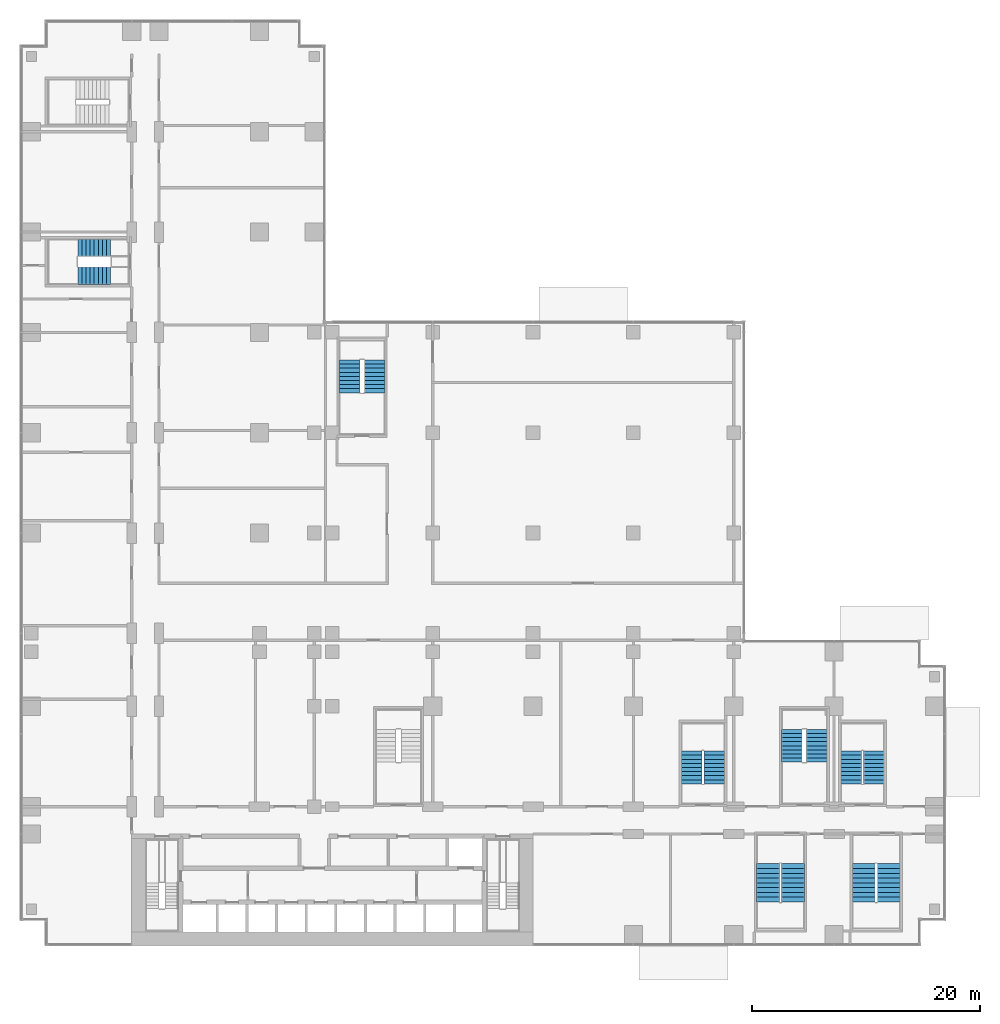
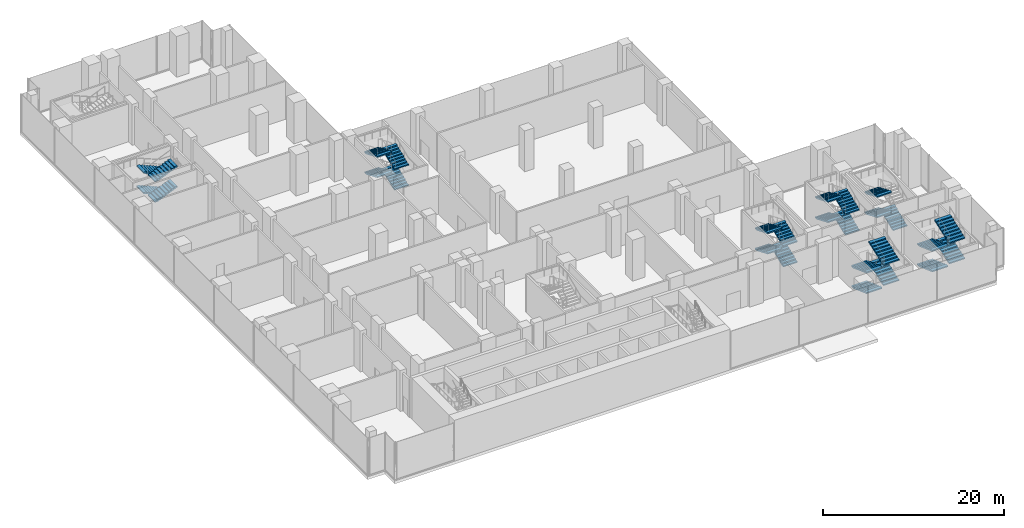
# One storey, part 23 of 30: 27 stair flights, 7 elements without a shape of their own.
"""IFC4 building model written with IfcOpenShell, lengths in metres."""

from ifc_helpers import new_model, si_unit, direction, frame, origin, place, context, subcontext, project, spatial, polyline, outline, extrude, material, type_object, element, aggregate, save


model = new_model("IFC4")

# Units and contexts
model_context = context("Model", 3, precision=1e-05, world=origin(), true_north=direction((0.0, 1.0)))
body_context = subcontext(model_context, "Body", "Model", "MODEL_VIEW")
ifc_project = project(units=[si_unit("LENGTHUNIT", "METRE"), si_unit("AREAUNIT", "SQUARE_METRE"), si_unit("VOLUMEUNIT", "CUBIC_METRE"), si_unit("PLANEANGLEUNIT", "RADIAN"), si_unit("MASSUNIT", "GRAM", prefix="KILO")], contexts=[model_context])

# Site, building, storey
site_placement = place(None, origin())
site = spatial("IfcSite", under=ifc_project, at=site_placement, CompositionType="ELEMENT")
building_placement = place(site_placement, origin())
building = spatial("IfcBuilding", under=site, at=building_placement, Name="Kemantara Hotel Tower", CompositionType="ELEMENT")
storey_placement = place(building_placement, frame((0.0, 0.0, 7.5)))
storey = spatial("IfcBuildingStorey", under=building, at=storey_placement, Name="L01", CompositionType="ELEMENT", Elevation=7.5)

# Stair, stair flights
ifc_material = material(Name="Concrete fc 40 MPa", Category="concrete")
stair_type_1 = type_object("IfcStairType", Name="Stair 1550 wide 36 risers of 153 x 360 mm", PredefinedType="HALF_TURN_STAIR", material=ifc_material)
stair_1_placement = place(storey_placement, origin())
stair_1 = element("IfcStair", 1, at=stair_1_placement, inside=storey, type_object=stair_type_1, Name="L01 Exit stair ST4", PredefinedType="HALF_TURN_STAIR")
stair_flight_type_1 = type_object("IfcStairFlightType", Name="Stair flight 1550 wide 153 x 360 mm", PredefinedType="STRAIGHT", material=ifc_material)
stair_flight_1_placement = place(storey_placement, frame((7.949951171875, 61.22509765625, 0.0), z_axis=(0.0, 0.0, 1.0), x_axis=(-1.0, 0.0, 0.0)))
stair_flight_1 = element("IfcStairFlight", 2, at=stair_flight_1_placement, type_object=stair_flight_type_1, Name="ST4 flight 1", NumberOfRisers=9, NumberOfTreads=8, PredefinedType="STRAIGHT", RiserHeight=0.152777778, TreadLength=0.36, context=body_context, shape_type="SweptSolid", body=[
    extrude(outline(polyline([(0.0, 0.0), (0.0, 0.15283203125), (0.360107421875, 0.15283203125), (0.360107421875, 0.3056640625), (0.719970703125, 0.3056640625), (0.719970703125, 0.458251953125), (1.080078125, 0.458251953125), (1.080078125, 0.611083984375), (1.43994140625, 0.611083984375), (1.43994140625, 0.763916015625), (1.800048828125, 0.763916015625), (1.800048828125, 0.916748046875), (2.159912109375, 0.916748046875), (2.159912109375, 1.0693359375), (2.52001953125, 1.0693359375), (2.52001953125, 1.22216796875), (2.8798828125, 1.22216796875), (2.8798828125, 1.375), (2.8798828125, 1.059326171875), (0.3837890625, 0.0), (0.0, 0.0)])), frame((0.0, 0.77490234375, 0.0), z_axis=(0.0, -1.0, 0.0), x_axis=(1.0, 0.0, 0.0)), (0.0, 0.0, 1.0), 1.550048828125),
])
stair_flight_2_placement = place(storey_placement, frame((5.070068359375, 58.77490234375, 1.375), z_axis=(0.0, 0.0, 1.0), x_axis=(1.0, 0.0, 0.0)))
stair_flight_2 = element("IfcStairFlight", 3, at=stair_flight_2_placement, type_object=stair_flight_type_1, Name="ST4 flight 2", NumberOfRisers=9, NumberOfTreads=8, PredefinedType="STRAIGHT", RiserHeight=0.152777778, TreadLength=0.36, context=body_context, shape_type="SweptSolid", body=[
    extrude(outline(polyline([(0.0, 0.0), (0.0, 0.15283203125), (0.360107421875, 0.15283203125), (0.360107421875, 0.3056640625), (0.719970703125, 0.3056640625), (0.719970703125, 0.458251953125), (1.080078125, 0.458251953125), (1.080078125, 0.611083984375), (1.43994140625, 0.611083984375), (1.43994140625, 0.763916015625), (1.800048828125, 0.763916015625), (1.800048828125, 0.916748046875), (2.159912109375, 0.916748046875), (2.159912109375, 1.0693359375), (2.52001953125, 1.0693359375), (2.52001953125, 1.22216796875), (2.8798828125, 1.22216796875), (2.8798828125, 1.375), (2.8798828125, 1.059326171875), (0.3837890625, 0.0), (0.0, 0.0)])), frame((0.0, 0.77490234375, 0.0), z_axis=(0.0, -1.0, 0.0), x_axis=(1.0, 0.0, 0.0)), (0.0, 0.0, 1.0), 1.550048828125),
])
stair_flight_3_placement = place(storey_placement, frame((7.949951171875, 61.22509765625, 2.75), z_axis=(0.0, 0.0, 1.0), x_axis=(-1.0, 0.0, 0.0)))
stair_flight_3 = element("IfcStairFlight", 4, at=stair_flight_3_placement, type_object=stair_flight_type_1, Name="ST4 flight 3", NumberOfRisers=9, NumberOfTreads=8, PredefinedType="STRAIGHT", RiserHeight=0.152777778, TreadLength=0.36, context=body_context, shape_type="SweptSolid", body=[
    extrude(outline(polyline([(0.0, 0.0), (0.0, 0.15283203125), (0.360107421875, 0.15283203125), (0.360107421875, 0.3056640625), (0.719970703125, 0.3056640625), (0.719970703125, 0.458251953125), (1.080078125, 0.458251953125), (1.080078125, 0.611083984375), (1.43994140625, 0.611083984375), (1.43994140625, 0.763916015625), (1.800048828125, 0.763916015625), (1.800048828125, 0.916748046875), (2.159912109375, 0.916748046875), (2.159912109375, 1.0693359375), (2.52001953125, 1.0693359375), (2.52001953125, 1.22216796875), (2.8798828125, 1.22216796875), (2.8798828125, 1.375), (2.8798828125, 1.059326171875), (0.3837890625, 0.0), (0.0, 0.0)])), frame((0.0, 0.77490234375, 0.0), z_axis=(0.0, -1.0, 0.0), x_axis=(1.0, 0.0, 0.0)), (0.0, 0.0, 1.0), 1.550048828125),
])
stair_flight_4_placement = place(storey_placement, frame((5.070068359375, 58.77490234375, 4.125), z_axis=(0.0, 0.0, 1.0), x_axis=(1.0, 0.0, 0.0)))
stair_flight_4 = element("IfcStairFlight", 5, at=stair_flight_4_placement, type_object=stair_flight_type_1, Name="ST4 flight 4", NumberOfRisers=9, NumberOfTreads=8, PredefinedType="STRAIGHT", RiserHeight=0.152777778, TreadLength=0.36, context=body_context, shape_type="SweptSolid", body=[
    extrude(outline(polyline([(0.0, 0.0), (0.0, 0.15283203125), (0.360107421875, 0.15283203125), (0.360107421875, 0.3056640625), (0.719970703125, 0.3056640625), (0.719970703125, 0.458251953125), (1.080078125, 0.458251953125), (1.080078125, 0.611083984375), (1.43994140625, 0.611083984375), (1.43994140625, 0.763916015625), (1.800048828125, 0.763916015625), (1.800048828125, 0.916748046875), (2.159912109375, 0.916748046875), (2.159912109375, 1.0693359375), (2.52001953125, 1.0693359375), (2.52001953125, 1.22216796875), (2.8798828125, 1.22216796875), (2.8798828125, 1.375), (2.8798828125, 1.059326171875), (0.3837890625, 0.0), (0.0, 0.0)])), frame((0.0, 0.77490234375, 0.0), z_axis=(0.0, -1.0, 0.0), x_axis=(1.0, 0.0, 0.0)), (0.0, 0.0, 1.0), 1.550048828125),
])
aggregate(stair_1, [stair_flight_1, stair_flight_2, stair_flight_3, stair_flight_4])

stair_type_2 = type_object("IfcStairType", Name="Stair 1800 wide 36 risers of 153 x 360 mm", PredefinedType="HALF_TURN_STAIR", material=ifc_material)
stair_2_placement = place(storey_placement, origin())
stair_2 = element("IfcStair", 6, at=stair_2_placement, inside=storey, type_object=stair_type_2, Name="L01 Exit stair ST3", PredefinedType="HALF_TURN_STAIR")
stair_flight_type_2 = type_object("IfcStairFlightType", Name="Stair flight 1800 wide 153 x 360 mm", PredefinedType="STRAIGHT", material=ifc_material)
stair_flight_5_placement = place(storey_placement, frame((60.89990234375, 14.199951171875, 0.0), z_axis=(0.0, 0.0, 1.0), x_axis=(0.0, 1.0, 0.0)))
stair_flight_5 = element("IfcStairFlight", 7, at=stair_flight_5_placement, type_object=stair_flight_type_2, Name="ST3 flight 1", NumberOfRisers=9, NumberOfTreads=8, PredefinedType="STRAIGHT", RiserHeight=0.152777778, TreadLength=0.36, context=body_context, shape_type="SweptSolid", body=[
    extrude(outline(polyline([(0.0, 0.0), (0.0, 0.15283203125), (0.360107421875, 0.15283203125), (0.360107421875, 0.3056640625), (0.719970703125, 0.3056640625), (0.719970703125, 0.458251953125), (1.080078125, 0.458251953125), (1.080078125, 0.611083984375), (1.43994140625, 0.611083984375), (1.43994140625, 0.763916015625), (1.800048828125, 0.763916015625), (1.800048828125, 0.916748046875), (2.159912109375, 0.916748046875), (2.159912109375, 1.0693359375), (2.52001953125, 1.0693359375), (2.52001953125, 1.22216796875), (2.8798828125, 1.22216796875), (2.8798828125, 1.375), (2.8798828125, 1.059326171875), (0.3837890625, 0.0), (0.0, 0.0)])), frame((0.0, 0.89990234375, 0.0), z_axis=(0.0, -1.0, 0.0), x_axis=(1.0, 0.0, 0.0)), (0.0, 0.0, 1.0), 1.800048828125),
])
stair_flight_6_placement = place(storey_placement, frame((58.89990234375, 17.080078125, 1.375), z_axis=(0.0, 0.0, 1.0), x_axis=(0.0, -1.0, 0.0)))
stair_flight_6 = element("IfcStairFlight", 8, at=stair_flight_6_placement, type_object=stair_flight_type_2, Name="ST3 flight 2", NumberOfRisers=9, NumberOfTreads=8, PredefinedType="STRAIGHT", RiserHeight=0.152777778, TreadLength=0.36, context=body_context, shape_type="SweptSolid", body=[
    extrude(outline(polyline([(0.0, 0.0), (0.0, 0.15283203125), (0.360107421875, 0.15283203125), (0.360107421875, 0.3056640625), (0.719970703125, 0.3056640625), (0.719970703125, 0.458251953125), (1.080078125, 0.458251953125), (1.080078125, 0.611083984375), (1.43994140625, 0.611083984375), (1.43994140625, 0.763916015625), (1.800048828125, 0.763916015625), (1.800048828125, 0.916748046875), (2.159912109375, 0.916748046875), (2.159912109375, 1.0693359375), (2.52001953125, 1.0693359375), (2.52001953125, 1.22216796875), (2.8798828125, 1.22216796875), (2.8798828125, 1.375), (2.8798828125, 1.059326171875), (0.3837890625, 0.0), (0.0, 0.0)])), frame((0.0, 0.89990234375, 0.0), z_axis=(0.0, -1.0, 0.0), x_axis=(1.0, 0.0, 0.0)), (0.0, 0.0, 1.0), 1.800048828125),
])
stair_flight_7_placement = place(storey_placement, frame((60.89990234375, 14.199951171875, 2.75), z_axis=(0.0, 0.0, 1.0), x_axis=(0.0, 1.0, 0.0)))
stair_flight_7 = element("IfcStairFlight", 9, at=stair_flight_7_placement, type_object=stair_flight_type_2, Name="ST3 flight 3", NumberOfRisers=9, NumberOfTreads=8, PredefinedType="STRAIGHT", RiserHeight=0.152777778, TreadLength=0.36, context=body_context, shape_type="SweptSolid", body=[
    extrude(outline(polyline([(0.0, 0.0), (0.0, 0.15283203125), (0.360107421875, 0.15283203125), (0.360107421875, 0.3056640625), (0.719970703125, 0.3056640625), (0.719970703125, 0.458251953125), (1.080078125, 0.458251953125), (1.080078125, 0.611083984375), (1.43994140625, 0.611083984375), (1.43994140625, 0.763916015625), (1.800048828125, 0.763916015625), (1.800048828125, 0.916748046875), (2.159912109375, 0.916748046875), (2.159912109375, 1.0693359375), (2.52001953125, 1.0693359375), (2.52001953125, 1.22216796875), (2.8798828125, 1.22216796875), (2.8798828125, 1.375), (2.8798828125, 1.059326171875), (0.3837890625, 0.0), (0.0, 0.0)])), frame((0.0, 0.89990234375, 0.0), z_axis=(0.0, -1.0, 0.0), x_axis=(1.0, 0.0, 0.0)), (0.0, 0.0, 1.0), 1.800048828125),
])
stair_flight_8_placement = place(storey_placement, frame((58.89990234375, 17.080078125, 4.125), z_axis=(0.0, 0.0, 1.0), x_axis=(0.0, -1.0, 0.0)))
stair_flight_8 = element("IfcStairFlight", 10, at=stair_flight_8_placement, type_object=stair_flight_type_2, Name="ST3 flight 4", NumberOfRisers=9, NumberOfTreads=8, PredefinedType="STRAIGHT", RiserHeight=0.152777778, TreadLength=0.36, context=body_context, shape_type="SweptSolid", body=[
    extrude(outline(polyline([(0.0, 0.0), (0.0, 0.15283203125), (0.360107421875, 0.15283203125), (0.360107421875, 0.3056640625), (0.719970703125, 0.3056640625), (0.719970703125, 0.458251953125), (1.080078125, 0.458251953125), (1.080078125, 0.611083984375), (1.43994140625, 0.611083984375), (1.43994140625, 0.763916015625), (1.800048828125, 0.763916015625), (1.800048828125, 0.916748046875), (2.159912109375, 0.916748046875), (2.159912109375, 1.0693359375), (2.52001953125, 1.0693359375), (2.52001953125, 1.22216796875), (2.8798828125, 1.22216796875), (2.8798828125, 1.375), (2.8798828125, 1.059326171875), (0.3837890625, 0.0), (0.0, 0.0)])), frame((0.0, 0.89990234375, 0.0), z_axis=(0.0, -1.0, 0.0), x_axis=(1.0, 0.0, 0.0)), (0.0, 0.0, 1.0), 1.800048828125),
])
aggregate(stair_2, [stair_flight_5, stair_flight_6, stair_flight_7, stair_flight_8])

stair_3_placement = place(storey_placement, origin())
stair_3 = element("IfcStair", 11, at=stair_3_placement, inside=storey, type_object=stair_type_2, Name="L01 Exit stair ST5", PredefinedType="HALF_TURN_STAIR")
stair_flight_9_placement = place(storey_placement, frame((74.89990234375, 14.199951171875, 0.0), z_axis=(0.0, 0.0, 1.0), x_axis=(0.0, 1.0, 0.0)))
stair_flight_9 = element("IfcStairFlight", 12, at=stair_flight_9_placement, type_object=stair_flight_type_2, Name="ST5 flight 1", NumberOfRisers=9, NumberOfTreads=8, PredefinedType="STRAIGHT", RiserHeight=0.152777778, TreadLength=0.36, context=body_context, shape_type="SweptSolid", body=[
    extrude(outline(polyline([(0.0, 0.0), (0.0, 0.15283203125), (0.360107421875, 0.15283203125), (0.360107421875, 0.3056640625), (0.719970703125, 0.3056640625), (0.719970703125, 0.458251953125), (1.080078125, 0.458251953125), (1.080078125, 0.611083984375), (1.43994140625, 0.611083984375), (1.43994140625, 0.763916015625), (1.800048828125, 0.763916015625), (1.800048828125, 0.916748046875), (2.159912109375, 0.916748046875), (2.159912109375, 1.0693359375), (2.52001953125, 1.0693359375), (2.52001953125, 1.22216796875), (2.8798828125, 1.22216796875), (2.8798828125, 1.375), (2.8798828125, 1.059326171875), (0.3837890625, 0.0), (0.0, 0.0)])), frame((0.0, 0.89990234375, 0.0), z_axis=(0.0, -1.0, 0.0), x_axis=(1.0, 0.0, 0.0)), (0.0, 0.0, 1.0), 1.800048828125),
])
stair_flight_10_placement = place(storey_placement, frame((72.89990234375, 17.080078125, 1.375), z_axis=(0.0, 0.0, 1.0), x_axis=(0.0, -1.0, 0.0)))
stair_flight_10 = element("IfcStairFlight", 13, at=stair_flight_10_placement, type_object=stair_flight_type_2, Name="ST5 flight 2", NumberOfRisers=9, NumberOfTreads=8, PredefinedType="STRAIGHT", RiserHeight=0.152777778, TreadLength=0.36, context=body_context, shape_type="SweptSolid", body=[
    extrude(outline(polyline([(0.0, 0.0), (0.0, 0.15283203125), (0.360107421875, 0.15283203125), (0.360107421875, 0.3056640625), (0.719970703125, 0.3056640625), (0.719970703125, 0.458251953125), (1.080078125, 0.458251953125), (1.080078125, 0.611083984375), (1.43994140625, 0.611083984375), (1.43994140625, 0.763916015625), (1.800048828125, 0.763916015625), (1.800048828125, 0.916748046875), (2.159912109375, 0.916748046875), (2.159912109375, 1.0693359375), (2.52001953125, 1.0693359375), (2.52001953125, 1.22216796875), (2.8798828125, 1.22216796875), (2.8798828125, 1.375), (2.8798828125, 1.059326171875), (0.3837890625, 0.0), (0.0, 0.0)])), frame((0.0, 0.89990234375, 0.0), z_axis=(0.0, -1.0, 0.0), x_axis=(1.0, 0.0, 0.0)), (0.0, 0.0, 1.0), 1.800048828125),
])
stair_flight_11_placement = place(storey_placement, frame((72.89990234375, 17.080078125, 4.125), z_axis=(0.0, 0.0, 1.0), x_axis=(0.0, -1.0, 0.0)))
stair_flight_11 = element("IfcStairFlight", 14, at=stair_flight_11_placement, type_object=stair_flight_type_2, Name="ST5 flight 4", NumberOfRisers=9, NumberOfTreads=8, PredefinedType="STRAIGHT", RiserHeight=0.152777778, TreadLength=0.36, context=body_context, shape_type="SweptSolid", body=[
    extrude(outline(polyline([(0.0, 0.0), (0.0, 0.15283203125), (0.360107421875, 0.15283203125), (0.360107421875, 0.3056640625), (0.719970703125, 0.3056640625), (0.719970703125, 0.458251953125), (1.080078125, 0.458251953125), (1.080078125, 0.611083984375), (1.43994140625, 0.611083984375), (1.43994140625, 0.763916015625), (1.800048828125, 0.763916015625), (1.800048828125, 0.916748046875), (2.159912109375, 0.916748046875), (2.159912109375, 1.0693359375), (2.52001953125, 1.0693359375), (2.52001953125, 1.22216796875), (2.8798828125, 1.22216796875), (2.8798828125, 1.375), (2.8798828125, 1.059326171875), (0.3837890625, 0.0), (0.0, 0.0)])), frame((0.0, 0.89990234375, 0.0), z_axis=(0.0, -1.0, 0.0), x_axis=(1.0, 0.0, 0.0)), (0.0, 0.0, 1.0), 1.800048828125),
])
aggregate(stair_3, [stair_flight_9, stair_flight_10, stair_flight_11])

stair_4_placement = place(storey_placement, origin())
stair_4 = element("IfcStair", 15, at=stair_4_placement, inside=storey, type_object=stair_type_2, Name="L01 Stair PS1", PredefinedType="HALF_TURN_STAIR")
stair_flight_12_placement = place(storey_placement, frame((69.89990234375, 16.10009765625, 0.0), z_axis=(0.0, 0.0, 1.0), x_axis=(0.0, 1.0, 0.0)))
stair_flight_12 = element("IfcStairFlight", 16, at=stair_flight_12_placement, type_object=stair_flight_type_2, Name="PS1 flight 1", NumberOfRisers=9, NumberOfTreads=8, PredefinedType="STRAIGHT", RiserHeight=0.152777778, TreadLength=0.36, context=body_context, shape_type="SweptSolid", body=[
    extrude(outline(polyline([(0.0, 0.0), (0.0, 0.15283203125), (0.360107421875, 0.15283203125), (0.360107421875, 0.3056640625), (0.719970703125, 0.3056640625), (0.719970703125, 0.458251953125), (1.080078125, 0.458251953125), (1.080078125, 0.611083984375), (1.43994140625, 0.611083984375), (1.43994140625, 0.763916015625), (1.800048828125, 0.763916015625), (1.800048828125, 0.916748046875), (2.159912109375, 0.916748046875), (2.159912109375, 1.0693359375), (2.52001953125, 1.0693359375), (2.52001953125, 1.22216796875), (2.8798828125, 1.22216796875), (2.8798828125, 1.375), (2.8798828125, 1.059326171875), (0.3837890625, 0.0), (0.0, 0.0)])), frame((0.0, 0.89990234375, 0.0), z_axis=(0.0, -1.0, 0.0), x_axis=(1.0, 0.0, 0.0)), (0.0, 0.0, 1.0), 1.800048828125),
])
stair_flight_13_placement = place(storey_placement, frame((67.699951171875, 18.97998046875, 1.375), z_axis=(0.0, 0.0, 1.0), x_axis=(0.0, -1.0, 0.0)))
stair_flight_13 = element("IfcStairFlight", 17, at=stair_flight_13_placement, type_object=stair_flight_type_2, Name="PS1 flight 2", NumberOfRisers=9, NumberOfTreads=8, PredefinedType="STRAIGHT", RiserHeight=0.152777778, TreadLength=0.36, context=body_context, shape_type="SweptSolid", body=[
    extrude(outline(polyline([(0.0, 0.0), (0.0, 0.15283203125), (0.360107421875, 0.15283203125), (0.360107421875, 0.3056640625), (0.719970703125, 0.3056640625), (0.719970703125, 0.458251953125), (1.080078125, 0.458251953125), (1.080078125, 0.611083984375), (1.43994140625, 0.611083984375), (1.43994140625, 0.763916015625), (1.800048828125, 0.763916015625), (1.800048828125, 0.916748046875), (2.159912109375, 0.916748046875), (2.159912109375, 1.0693359375), (2.52001953125, 1.0693359375), (2.52001953125, 1.22216796875), (2.8798828125, 1.22216796875), (2.8798828125, 1.375), (2.8798828125, 1.059326171875), (0.3837890625, 0.0), (0.0, 0.0)])), frame((0.0, 0.89990234375, 0.0), z_axis=(0.0, -1.0, 0.0), x_axis=(1.0, 0.0, 0.0)), (0.0, 0.0, 1.0), 1.800048828125),
])
stair_flight_14_placement = place(storey_placement, frame((69.89990234375, 16.10009765625, 2.75), z_axis=(0.0, 0.0, 1.0), x_axis=(0.0, 1.0, 0.0)))
stair_flight_14 = element("IfcStairFlight", 18, at=stair_flight_14_placement, type_object=stair_flight_type_2, Name="PS1 flight 3", NumberOfRisers=9, NumberOfTreads=8, PredefinedType="STRAIGHT", RiserHeight=0.152777778, TreadLength=0.36, context=body_context, shape_type="SweptSolid", body=[
    extrude(outline(polyline([(0.0, 0.0), (0.0, 0.15283203125), (0.360107421875, 0.15283203125), (0.360107421875, 0.3056640625), (0.719970703125, 0.3056640625), (0.719970703125, 0.458251953125), (1.080078125, 0.458251953125), (1.080078125, 0.611083984375), (1.43994140625, 0.611083984375), (1.43994140625, 0.763916015625), (1.800048828125, 0.763916015625), (1.800048828125, 0.916748046875), (2.159912109375, 0.916748046875), (2.159912109375, 1.0693359375), (2.52001953125, 1.0693359375), (2.52001953125, 1.22216796875), (2.8798828125, 1.22216796875), (2.8798828125, 1.375), (2.8798828125, 1.059326171875), (0.3837890625, 0.0), (0.0, 0.0)])), frame((0.0, 0.89990234375, 0.0), z_axis=(0.0, -1.0, 0.0), x_axis=(1.0, 0.0, 0.0)), (0.0, 0.0, 1.0), 1.800048828125),
])
stair_flight_15_placement = place(storey_placement, frame((67.699951171875, 18.97998046875, 4.125), z_axis=(0.0, 0.0, 1.0), x_axis=(0.0, -1.0, 0.0)))
stair_flight_15 = element("IfcStairFlight", 19, at=stair_flight_15_placement, type_object=stair_flight_type_2, Name="PS1 flight 4", NumberOfRisers=9, NumberOfTreads=8, PredefinedType="STRAIGHT", RiserHeight=0.152777778, TreadLength=0.36, context=body_context, shape_type="SweptSolid", body=[
    extrude(outline(polyline([(0.0, 0.0), (0.0, 0.15283203125), (0.360107421875, 0.15283203125), (0.360107421875, 0.3056640625), (0.719970703125, 0.3056640625), (0.719970703125, 0.458251953125), (1.080078125, 0.458251953125), (1.080078125, 0.611083984375), (1.43994140625, 0.611083984375), (1.43994140625, 0.763916015625), (1.800048828125, 0.763916015625), (1.800048828125, 0.916748046875), (2.159912109375, 0.916748046875), (2.159912109375, 1.0693359375), (2.52001953125, 1.0693359375), (2.52001953125, 1.22216796875), (2.8798828125, 1.22216796875), (2.8798828125, 1.375), (2.8798828125, 1.059326171875), (0.3837890625, 0.0), (0.0, 0.0)])), frame((0.0, 0.89990234375, 0.0), z_axis=(0.0, -1.0, 0.0), x_axis=(1.0, 0.0, 0.0)), (0.0, 0.0, 1.0), 1.800048828125),
])
aggregate(stair_4, [stair_flight_12, stair_flight_13, stair_flight_14, stair_flight_15])

stair_5_placement = place(storey_placement, origin())
stair_5 = element("IfcStair", 20, at=stair_5_placement, inside=storey, type_object=stair_type_2, Name="L01 Stair PS2", PredefinedType="HALF_TURN_STAIR")
stair_flight_16_placement = place(storey_placement, frame((31.10009765625, 48.5, 0.0), z_axis=(0.0, 0.0, 1.0), x_axis=(0.0, 1.0, 0.0)))
stair_flight_16 = element("IfcStairFlight", 21, at=stair_flight_16_placement, type_object=stair_flight_type_2, Name="PS2 flight 1", NumberOfRisers=9, NumberOfTreads=8, PredefinedType="STRAIGHT", RiserHeight=0.152777778, TreadLength=0.36, context=body_context, shape_type="SweptSolid", body=[
    extrude(outline(polyline([(0.0, 0.0), (0.0, 0.15283203125), (0.360107421875, 0.15283203125), (0.360107421875, 0.3056640625), (0.719970703125, 0.3056640625), (0.719970703125, 0.458251953125), (1.080078125, 0.458251953125), (1.080078125, 0.611083984375), (1.43994140625, 0.611083984375), (1.43994140625, 0.763916015625), (1.800048828125, 0.763916015625), (1.800048828125, 0.916748046875), (2.159912109375, 0.916748046875), (2.159912109375, 1.0693359375), (2.52001953125, 1.0693359375), (2.52001953125, 1.22216796875), (2.8798828125, 1.22216796875), (2.8798828125, 1.375), (2.8798828125, 1.059326171875), (0.3837890625, 0.0), (0.0, 0.0)])), frame((0.0, 0.89990234375, 0.0), z_axis=(0.0, -1.0, 0.0), x_axis=(1.0, 0.0, 0.0)), (0.0, 0.0, 1.0), 1.800048828125),
])
stair_flight_17_placement = place(storey_placement, frame((28.89990234375, 51.3798828125, 1.375), z_axis=(0.0, 0.0, 1.0), x_axis=(0.0, -1.0, 0.0)))
stair_flight_17 = element("IfcStairFlight", 22, at=stair_flight_17_placement, type_object=stair_flight_type_2, Name="PS2 flight 2", NumberOfRisers=9, NumberOfTreads=8, PredefinedType="STRAIGHT", RiserHeight=0.152777778, TreadLength=0.36, context=body_context, shape_type="SweptSolid", body=[
    extrude(outline(polyline([(0.0, 0.0), (0.0, 0.15283203125), (0.360107421875, 0.15283203125), (0.360107421875, 0.3056640625), (0.719970703125, 0.3056640625), (0.719970703125, 0.458251953125), (1.080078125, 0.458251953125), (1.080078125, 0.611083984375), (1.43994140625, 0.611083984375), (1.43994140625, 0.763916015625), (1.800048828125, 0.763916015625), (1.800048828125, 0.916748046875), (2.159912109375, 0.916748046875), (2.159912109375, 1.0693359375), (2.52001953125, 1.0693359375), (2.52001953125, 1.22216796875), (2.8798828125, 1.22216796875), (2.8798828125, 1.375), (2.8798828125, 1.059326171875), (0.3837890625, 0.0), (0.0, 0.0)])), frame((0.0, 0.89990234375, 0.0), z_axis=(0.0, -1.0, 0.0), x_axis=(1.0, 0.0, 0.0)), (0.0, 0.0, 1.0), 1.800048828125),
])
stair_flight_18_placement = place(storey_placement, frame((31.10009765625, 48.5, 2.75), z_axis=(0.0, 0.0, 1.0), x_axis=(0.0, 1.0, 0.0)))
stair_flight_18 = element("IfcStairFlight", 23, at=stair_flight_18_placement, type_object=stair_flight_type_2, Name="PS2 flight 3", NumberOfRisers=9, NumberOfTreads=8, PredefinedType="STRAIGHT", RiserHeight=0.152777778, TreadLength=0.36, context=body_context, shape_type="SweptSolid", body=[
    extrude(outline(polyline([(0.0, 0.0), (0.0, 0.15283203125), (0.360107421875, 0.15283203125), (0.360107421875, 0.3056640625), (0.719970703125, 0.3056640625), (0.719970703125, 0.458251953125), (1.080078125, 0.458251953125), (1.080078125, 0.611083984375), (1.43994140625, 0.611083984375), (1.43994140625, 0.763916015625), (1.800048828125, 0.763916015625), (1.800048828125, 0.916748046875), (2.159912109375, 0.916748046875), (2.159912109375, 1.0693359375), (2.52001953125, 1.0693359375), (2.52001953125, 1.22216796875), (2.8798828125, 1.22216796875), (2.8798828125, 1.375), (2.8798828125, 1.059326171875), (0.3837890625, 0.0), (0.0, 0.0)])), frame((0.0, 0.89990234375, 0.0), z_axis=(0.0, -1.0, 0.0), x_axis=(1.0, 0.0, 0.0)), (0.0, 0.0, 1.0), 1.800048828125),
])
stair_flight_19_placement = place(storey_placement, frame((28.89990234375, 51.3798828125, 4.125), z_axis=(0.0, 0.0, 1.0), x_axis=(0.0, -1.0, 0.0)))
stair_flight_19 = element("IfcStairFlight", 24, at=stair_flight_19_placement, type_object=stair_flight_type_2, Name="PS2 flight 4", NumberOfRisers=9, NumberOfTreads=8, PredefinedType="STRAIGHT", RiserHeight=0.152777778, TreadLength=0.36, context=body_context, shape_type="SweptSolid", body=[
    extrude(outline(polyline([(0.0, 0.0), (0.0, 0.15283203125), (0.360107421875, 0.15283203125), (0.360107421875, 0.3056640625), (0.719970703125, 0.3056640625), (0.719970703125, 0.458251953125), (1.080078125, 0.458251953125), (1.080078125, 0.611083984375), (1.43994140625, 0.611083984375), (1.43994140625, 0.763916015625), (1.800048828125, 0.763916015625), (1.800048828125, 0.916748046875), (2.159912109375, 0.916748046875), (2.159912109375, 1.0693359375), (2.52001953125, 1.0693359375), (2.52001953125, 1.22216796875), (2.8798828125, 1.22216796875), (2.8798828125, 1.375), (2.8798828125, 1.059326171875), (0.3837890625, 0.0), (0.0, 0.0)])), frame((0.0, 0.89990234375, 0.0), z_axis=(0.0, -1.0, 0.0), x_axis=(1.0, 0.0, 0.0)), (0.0, 0.0, 1.0), 1.800048828125),
])
aggregate(stair_5, [stair_flight_16, stair_flight_17, stair_flight_18, stair_flight_19])

stair_type_3 = type_object("IfcStairType", Name="Stair 2000 wide 36 risers of 153 x 420 mm", PredefinedType="HALF_TURN_STAIR", material=ifc_material)
stair_6_placement = place(storey_placement, origin())
stair_6 = element("IfcStair", 25, at=stair_6_placement, inside=storey, type_object=stair_type_3, Name="L01 Stair PS4", PredefinedType="HALF_TURN_STAIR")
stair_flight_type_3 = type_object("IfcStairFlightType", Name="Stair flight 2000 wide 153 x 420 mm", PredefinedType="STRAIGHT", material=ifc_material)
stair_flight_20_placement = place(storey_placement, frame((65.60009765625, 7.199951171875, 0.0), z_axis=(0.0, 0.0, 1.0), x_axis=(0.0, -1.0, 0.0)))
stair_flight_20 = element("IfcStairFlight", 26, at=stair_flight_20_placement, type_object=stair_flight_type_3, Name="PS4 flight 1", NumberOfRisers=9, NumberOfTreads=8, PredefinedType="STRAIGHT", RiserHeight=0.152777778, TreadLength=0.42, context=body_context, shape_type="SweptSolid", body=[
    extrude(outline(polyline([(0.0, 0.0), (0.0, 0.15283203125), (0.419921875, 0.15283203125), (0.419921875, 0.3056640625), (0.840087890625, 0.3056640625), (0.840087890625, 0.458251953125), (1.260009765625, 0.458251953125), (1.260009765625, 0.611083984375), (1.679931640625, 0.611083984375), (1.679931640625, 0.763916015625), (2.10009765625, 0.763916015625), (2.10009765625, 0.916748046875), (2.52001953125, 0.916748046875), (2.52001953125, 1.0693359375), (2.93994140625, 1.0693359375), (2.93994140625, 1.22216796875), (3.360107421875, 1.22216796875), (3.360107421875, 1.375), (3.360107421875, 1.062744140625), (0.4384765625, 0.0), (0.0, 0.0)])), frame((0.0, 1.0, 0.0), z_axis=(0.0, -1.0, 0.0), x_axis=(1.0, 0.0, 0.0)), (0.0, 0.0, 1.0), 2.0),
])
stair_flight_21_placement = place(storey_placement, frame((67.800048828125, 3.840087890625, 1.375), z_axis=(0.0, 0.0, 1.0), x_axis=(0.0, 1.0, 0.0)))
stair_flight_21 = element("IfcStairFlight", 27, at=stair_flight_21_placement, type_object=stair_flight_type_3, Name="PS4 flight 2", NumberOfRisers=9, NumberOfTreads=8, PredefinedType="STRAIGHT", RiserHeight=0.152777778, TreadLength=0.42, context=body_context, shape_type="SweptSolid", body=[
    extrude(outline(polyline([(0.0, 0.0), (0.0, 0.15283203125), (0.419921875, 0.15283203125), (0.419921875, 0.3056640625), (0.840087890625, 0.3056640625), (0.840087890625, 0.458251953125), (1.260009765625, 0.458251953125), (1.260009765625, 0.611083984375), (1.679931640625, 0.611083984375), (1.679931640625, 0.763916015625), (2.10009765625, 0.763916015625), (2.10009765625, 0.916748046875), (2.52001953125, 0.916748046875), (2.52001953125, 1.0693359375), (2.93994140625, 1.0693359375), (2.93994140625, 1.22216796875), (3.360107421875, 1.22216796875), (3.360107421875, 1.375), (3.360107421875, 1.062744140625), (0.4384765625, 0.0), (0.0, 0.0)])), frame((0.0, 1.0, 0.0), z_axis=(0.0, -1.0, 0.0), x_axis=(1.0, 0.0, 0.0)), (0.0, 0.0, 1.0), 2.0),
])
stair_flight_22_placement = place(storey_placement, frame((65.60009765625, 7.199951171875, 2.75), z_axis=(0.0, 0.0, 1.0), x_axis=(0.0, -1.0, 0.0)))
stair_flight_22 = element("IfcStairFlight", 28, at=stair_flight_22_placement, type_object=stair_flight_type_3, Name="PS4 flight 3", NumberOfRisers=9, NumberOfTreads=8, PredefinedType="STRAIGHT", RiserHeight=0.152777778, TreadLength=0.42, context=body_context, shape_type="SweptSolid", body=[
    extrude(outline(polyline([(0.0, 0.0), (0.0, 0.15283203125), (0.419921875, 0.15283203125), (0.419921875, 0.3056640625), (0.840087890625, 0.3056640625), (0.840087890625, 0.458251953125), (1.260009765625, 0.458251953125), (1.260009765625, 0.611083984375), (1.679931640625, 0.611083984375), (1.679931640625, 0.763916015625), (2.10009765625, 0.763916015625), (2.10009765625, 0.916748046875), (2.52001953125, 0.916748046875), (2.52001953125, 1.0693359375), (2.93994140625, 1.0693359375), (2.93994140625, 1.22216796875), (3.360107421875, 1.22216796875), (3.360107421875, 1.375), (3.360107421875, 1.062744140625), (0.4384765625, 0.0), (0.0, 0.0)])), frame((0.0, 1.0, 0.0), z_axis=(0.0, -1.0, 0.0), x_axis=(1.0, 0.0, 0.0)), (0.0, 0.0, 1.0), 2.0),
])
stair_flight_23_placement = place(storey_placement, frame((67.800048828125, 3.840087890625, 4.125), z_axis=(0.0, 0.0, 1.0), x_axis=(0.0, 1.0, 0.0)))
stair_flight_23 = element("IfcStairFlight", 29, at=stair_flight_23_placement, type_object=stair_flight_type_3, Name="PS4 flight 4", NumberOfRisers=9, NumberOfTreads=8, PredefinedType="STRAIGHT", RiserHeight=0.152777778, TreadLength=0.42, context=body_context, shape_type="SweptSolid", body=[
    extrude(outline(polyline([(0.0, 0.0), (0.0, 0.15283203125), (0.419921875, 0.15283203125), (0.419921875, 0.3056640625), (0.840087890625, 0.3056640625), (0.840087890625, 0.458251953125), (1.260009765625, 0.458251953125), (1.260009765625, 0.611083984375), (1.679931640625, 0.611083984375), (1.679931640625, 0.763916015625), (2.10009765625, 0.763916015625), (2.10009765625, 0.916748046875), (2.52001953125, 0.916748046875), (2.52001953125, 1.0693359375), (2.93994140625, 1.0693359375), (2.93994140625, 1.22216796875), (3.360107421875, 1.22216796875), (3.360107421875, 1.375), (3.360107421875, 1.062744140625), (0.4384765625, 0.0), (0.0, 0.0)])), frame((0.0, 1.0, 0.0), z_axis=(0.0, -1.0, 0.0), x_axis=(1.0, 0.0, 0.0)), (0.0, 0.0, 1.0), 2.0),
])
aggregate(stair_6, [stair_flight_20, stair_flight_21, stair_flight_22, stair_flight_23])

stair_7_placement = place(storey_placement, origin())
stair_7 = element("IfcStair", 30, at=stair_7_placement, inside=storey, type_object=stair_type_3, Name="L01 Stair PS5", PredefinedType="HALF_TURN_STAIR")
stair_flight_24_placement = place(storey_placement, frame((74.0, 7.199951171875, 0.0), z_axis=(0.0, 0.0, 1.0), x_axis=(0.0, -1.0, 0.0)))
stair_flight_24 = element("IfcStairFlight", 31, at=stair_flight_24_placement, type_object=stair_flight_type_3, Name="PS5 flight 1", NumberOfRisers=9, NumberOfTreads=8, PredefinedType="STRAIGHT", RiserHeight=0.152777778, TreadLength=0.42, context=body_context, shape_type="SweptSolid", body=[
    extrude(outline(polyline([(0.0, 0.0), (0.0, 0.15283203125), (0.419921875, 0.15283203125), (0.419921875, 0.3056640625), (0.840087890625, 0.3056640625), (0.840087890625, 0.458251953125), (1.260009765625, 0.458251953125), (1.260009765625, 0.611083984375), (1.679931640625, 0.611083984375), (1.679931640625, 0.763916015625), (2.10009765625, 0.763916015625), (2.10009765625, 0.916748046875), (2.52001953125, 0.916748046875), (2.52001953125, 1.0693359375), (2.93994140625, 1.0693359375), (2.93994140625, 1.22216796875), (3.360107421875, 1.22216796875), (3.360107421875, 1.375), (3.360107421875, 1.062744140625), (0.4384765625, 0.0), (0.0, 0.0)])), frame((0.0, 1.0, 0.0), z_axis=(0.0, -1.0, 0.0), x_axis=(1.0, 0.0, 0.0)), (0.0, 0.0, 1.0), 2.0),
])
stair_flight_25_placement = place(storey_placement, frame((76.199951171875, 3.840087890625, 1.375), z_axis=(0.0, 0.0, 1.0), x_axis=(0.0, 1.0, 0.0)))
stair_flight_25 = element("IfcStairFlight", 32, at=stair_flight_25_placement, type_object=stair_flight_type_3, Name="PS5 flight 2", NumberOfRisers=9, NumberOfTreads=8, PredefinedType="STRAIGHT", RiserHeight=0.152777778, TreadLength=0.42, context=body_context, shape_type="SweptSolid", body=[
    extrude(outline(polyline([(0.0, 0.0), (0.0, 0.15283203125), (0.419921875, 0.15283203125), (0.419921875, 0.3056640625), (0.840087890625, 0.3056640625), (0.840087890625, 0.458251953125), (1.260009765625, 0.458251953125), (1.260009765625, 0.611083984375), (1.679931640625, 0.611083984375), (1.679931640625, 0.763916015625), (2.10009765625, 0.763916015625), (2.10009765625, 0.916748046875), (2.52001953125, 0.916748046875), (2.52001953125, 1.0693359375), (2.93994140625, 1.0693359375), (2.93994140625, 1.22216796875), (3.360107421875, 1.22216796875), (3.360107421875, 1.375), (3.360107421875, 1.062744140625), (0.4384765625, 0.0), (0.0, 0.0)])), frame((0.0, 1.0, 0.0), z_axis=(0.0, -1.0, 0.0), x_axis=(1.0, 0.0, 0.0)), (0.0, 0.0, 1.0), 2.0),
])
stair_flight_26_placement = place(storey_placement, frame((74.0, 7.199951171875, 2.75), z_axis=(0.0, 0.0, 1.0), x_axis=(0.0, -1.0, 0.0)))
stair_flight_26 = element("IfcStairFlight", 33, at=stair_flight_26_placement, type_object=stair_flight_type_3, Name="PS5 flight 3", NumberOfRisers=9, NumberOfTreads=8, PredefinedType="STRAIGHT", RiserHeight=0.152777778, TreadLength=0.42, context=body_context, shape_type="SweptSolid", body=[
    extrude(outline(polyline([(0.0, 0.0), (0.0, 0.15283203125), (0.419921875, 0.15283203125), (0.419921875, 0.3056640625), (0.840087890625, 0.3056640625), (0.840087890625, 0.458251953125), (1.260009765625, 0.458251953125), (1.260009765625, 0.611083984375), (1.679931640625, 0.611083984375), (1.679931640625, 0.763916015625), (2.10009765625, 0.763916015625), (2.10009765625, 0.916748046875), (2.52001953125, 0.916748046875), (2.52001953125, 1.0693359375), (2.93994140625, 1.0693359375), (2.93994140625, 1.22216796875), (3.360107421875, 1.22216796875), (3.360107421875, 1.375), (3.360107421875, 1.062744140625), (0.4384765625, 0.0), (0.0, 0.0)])), frame((0.0, 1.0, 0.0), z_axis=(0.0, -1.0, 0.0), x_axis=(1.0, 0.0, 0.0)), (0.0, 0.0, 1.0), 2.0),
])
stair_flight_27_placement = place(storey_placement, frame((76.199951171875, 3.840087890625, 4.125), z_axis=(0.0, 0.0, 1.0), x_axis=(0.0, 1.0, 0.0)))
stair_flight_27 = element("IfcStairFlight", 34, at=stair_flight_27_placement, type_object=stair_flight_type_3, Name="PS5 flight 4", NumberOfRisers=9, NumberOfTreads=8, PredefinedType="STRAIGHT", RiserHeight=0.152777778, TreadLength=0.42, context=body_context, shape_type="SweptSolid", body=[
    extrude(outline(polyline([(0.0, 0.0), (0.0, 0.15283203125), (0.419921875, 0.15283203125), (0.419921875, 0.3056640625), (0.840087890625, 0.3056640625), (0.840087890625, 0.458251953125), (1.260009765625, 0.458251953125), (1.260009765625, 0.611083984375), (1.679931640625, 0.611083984375), (1.679931640625, 0.763916015625), (2.10009765625, 0.763916015625), (2.10009765625, 0.916748046875), (2.52001953125, 0.916748046875), (2.52001953125, 1.0693359375), (2.93994140625, 1.0693359375), (2.93994140625, 1.22216796875), (3.360107421875, 1.22216796875), (3.360107421875, 1.375), (3.360107421875, 1.062744140625), (0.4384765625, 0.0), (0.0, 0.0)])), frame((0.0, 1.0, 0.0), z_axis=(0.0, -1.0, 0.0), x_axis=(1.0, 0.0, 0.0)), (0.0, 0.0, 1.0), 2.0),
])
aggregate(stair_7, [stair_flight_24, stair_flight_25, stair_flight_26, stair_flight_27])

save(model, "model.ifc")
